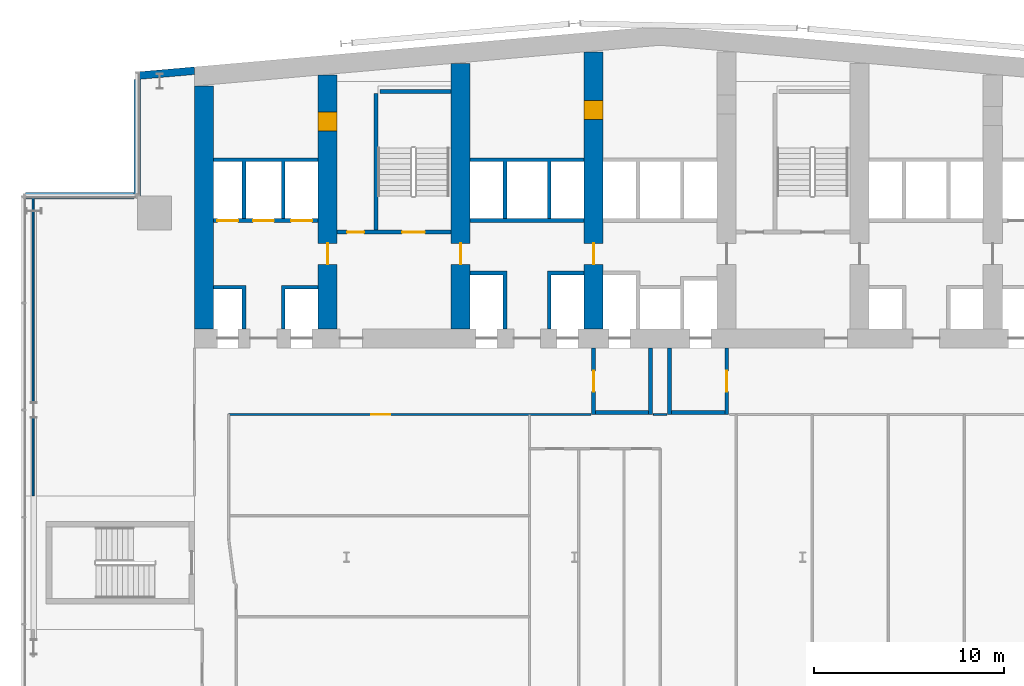
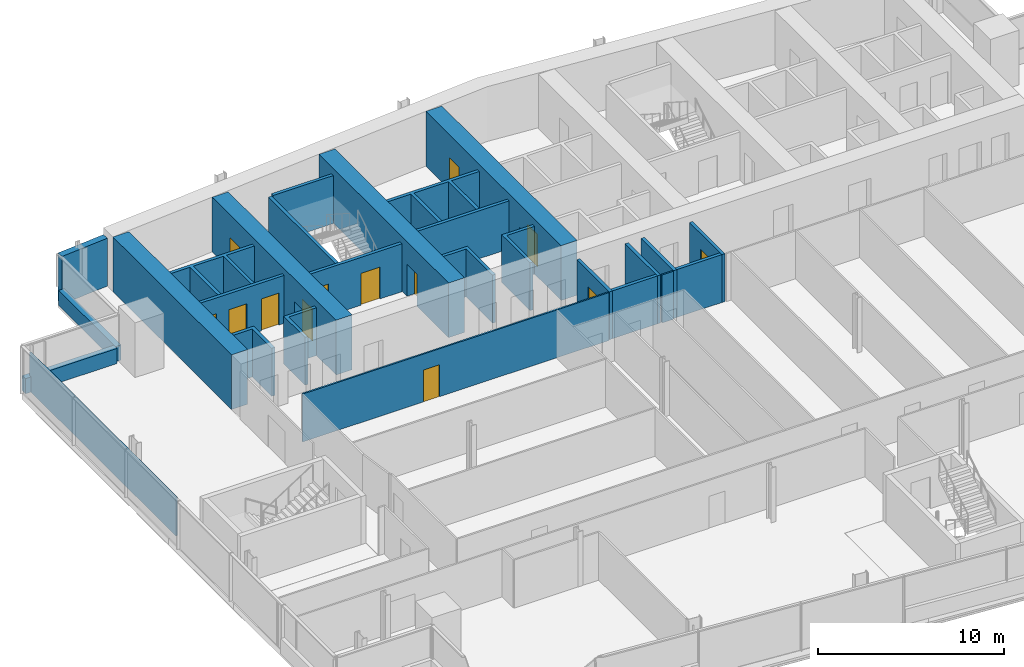
# One storey, part 17 of 25: 27 walls, 13 doors, 13 openings.
"""IFC4 building model written with IfcOpenShell, lengths in metres."""

from ifc_helpers import new_model, si_unit, direction, frame, frame_2d, origin, place, context, subcontext, project, spatial, polyline, rectangle, outline, extrude, material, layer, layer_set, type_object, element, fill, save


model = new_model("IFC4")

# Units and contexts
model_context = context("Model", 3, precision=1e-05, world=origin(), true_north=direction((0.0, 1.0)))
body_context = subcontext(model_context, "Body", "Model", "MODEL_VIEW")
ifc_project = project(units=[si_unit("LENGTHUNIT", "METRE"), si_unit("AREAUNIT", "SQUARE_METRE"), si_unit("VOLUMEUNIT", "CUBIC_METRE"), si_unit("PLANEANGLEUNIT", "RADIAN"), si_unit("MASSUNIT", "GRAM", prefix="KILO")], contexts=[model_context])

# Site, building, storey
site_placement = place(None, origin())
site = spatial("IfcSite", under=ifc_project, at=site_placement, CompositionType="ELEMENT")
building_placement = place(site_placement, origin())
building = spatial("IfcBuilding", under=site, at=building_placement, Name="Wharfspan Tower", CompositionType="ELEMENT")
storey_placement = place(building_placement, frame((0.0, 0.0, 143.5)))
storey = spatial("IfcBuildingStorey", under=building, at=storey_placement, Name="L34", CompositionType="ELEMENT", Elevation=143.5)

# Wall, opening, door
ifc_material_1 = material(Name="Gypsum board on steel studs", Category="steel")
ifc_layer_1 = layer(ifc_material_1, 0.100098)
ifc_layer_set_1 = layer_set([ifc_layer_1], Name="Gypsum board on steel studs")
wall_type_1 = type_object("IfcWallType", Name="Compartment wall 100 EI 60", PredefinedType="PARTITIONING", material=ifc_layer_set_1)
wall_1_placement = place(storey_placement, frame((17.800049, 30.5, 0.0), z_axis=(0.0, 0.0, 1.0), x_axis=(1.0, 0.0, 0.0)))
wall_1 = element("IfcWall", 1, at=wall_1_placement, inside=storey, type_object=wall_type_1, Name="Partition L34.w010", PredefinedType="PARTITIONING", context=body_context, shape_type="SweptSolid", body=[
    extrude(rectangle(XDim=19.050049, YDim=0.100098, at=frame_2d((9.524902, 0.0))), origin(), (0.0, 0.0, 1.0), 3.149902),
])
opening_1_placement = place(wall_1_placement, frame((7.5, 0.0, 0.0)))
opening_1 = element("IfcOpeningElement", 2, at=opening_1_placement, cuts=wall_1, Name="Opening B6-20", PredefinedType="OPENING", context=body_context, shape_type="SweptSolid", body=[
    extrude(rectangle(XDim=1.0, YDim=2.100098, at=frame_2d((0.5, 1.050049))), frame((0.0, 0.060059, 0.0), z_axis=(0.0, -1.0, 0.0), x_axis=(1.0, 0.0, 0.0)), (0.0, 0.0, 1.0), 0.120117),
])
ifc_material_2 = material(Name="Fire-rated timber door leaf in steel frame", Category="steel")
door_type_1 = type_object("IfcDoorType", Name="Door 1000 FD30S Left", OperationType="SINGLE_SWING_LEFT", PredefinedType="DOOR", material=ifc_material_2)
door_1_placement = place(opening_1_placement, origin())
door_1 = element("IfcDoor", 3, at=door_1_placement, inside=storey, type_object=door_type_1, Name="Door B6-20", OperationType="SINGLE_SWING_LEFT", OverallHeight=2.100098, OverallWidth=1.0, PredefinedType="DOOR", context=body_context, shape_type="SweptSolid", body=[
    extrude(rectangle(XDim=1.0, YDim=2.100098, at=frame_2d((0.5, 1.050049))), frame((0.0, 0.024902, 0.0), z_axis=(0.0, -1.0, 0.0), x_axis=(1.0, 0.0, 0.0)), (0.0, 0.0, 1.0), 0.050049),
])
fill(opening_1, door_1)

# Walls
wall_2_placement = place(storey_placement, frame((40.149902, 30.5, 0.0), z_axis=(0.0, 0.0, 1.0), x_axis=(1.0, 0.0, 0.0)))
element("IfcWall", 4, at=wall_2_placement, inside=storey, type_object=wall_type_1, Name="Partition L34.w010 (2)", PredefinedType="PARTITIONING", context=body_context, shape_type="SweptSolid", body=[
    extrude(rectangle(XDim=0.700195, YDim=0.100098, at=frame_2d((0.350098, 0.0))), origin(), (0.0, 0.0, 1.0), 3.149902),
])
ifc_material_3 = material(Name="Concrete C70/85", Category="concrete")
ifc_layer_2 = layer(ifc_material_3, 1.0)
ifc_layer_set_2 = layer_set([ifc_layer_2], Name="Concrete C70/85")
wall_type_2 = type_object("IfcWallType", Name="Core wall 1000 C70/85", PredefinedType="SHEAR", material=ifc_layer_set_2)
wall_3_placement = place(storey_placement, frame((16.5, 35.0, 0.0), z_axis=(0.0, 0.0, 1.0), x_axis=(0.0, 1.0, 0.0)))
element("IfcWall", 5, at=wall_3_placement, inside=storey, type_object=wall_type_2, Name="Core cross wall EW0 L34", PredefinedType="SHEAR", context=body_context, shape_type="SweptSolid", body=[
    extrude(rectangle(XDim=12.783691, YDim=1.0, at=frame_2d((6.391846, 0.0))), origin(), (0.0, 0.0, 1.0), 3.600098),
])

# Wall, openings, doors
wall_4_placement = place(storey_placement, frame((23.0, 35.0, 0.0), z_axis=(0.0, 0.0, 1.0), x_axis=(0.0, 1.0, 0.0)))
wall_4 = element("IfcWall", 6, at=wall_4_placement, inside=storey, type_object=wall_type_2, Name="Core cross wall X2 L34", PredefinedType="SHEAR", context=body_context, shape_type="SweptSolid", body=[
    extrude(rectangle(XDim=13.352295, YDim=1.0, at=frame_2d((6.67627, 0.0))), origin(), (0.0, 0.0, 1.0), 3.600098),
])
opening_2_placement = place(wall_4_placement, frame((10.425537, 0.0, 0.0)))
opening_2 = element("IfcOpeningElement", 7, at=opening_2_placement, cuts=wall_4, Name="Opening CD34.1X", PredefinedType="OPENING", context=body_context, shape_type="SweptSolid", body=[
    extrude(rectangle(XDim=1.0, YDim=2.100098, at=frame_2d((0.5, 1.050049))), frame((0.0, 0.51001, 0.0), z_axis=(0.0, -1.0, 0.0), x_axis=(1.0, 0.0, 0.0)), (0.0, 0.0, 1.0), 1.02002),
])
opening_3_placement = place(wall_4_placement, frame((3.399902, 0.0, 0.0)))
opening_3 = element("IfcOpeningElement", 8, at=opening_3_placement, cuts=wall_4, Name="Opening CC34.2", PredefinedType="OPENING", context=body_context, shape_type="SweptSolid", body=[
    extrude(rectangle(XDim=1.100098, YDim=2.100098, at=frame_2d((0.550049, 1.050049))), frame((0.0, 0.51001, 0.0), z_axis=(0.0, -1.0, 0.0), x_axis=(1.0, 0.0, 0.0)), (0.0, 0.0, 1.0), 1.02002),
])
ifc_material_4 = material(Name="Steel door leaf", Category="steel")
door_type_2 = type_object("IfcDoorType", Name="Core corridor door 1100x2100", OperationType="SINGLE_SWING_LEFT", PredefinedType="DOOR", material=ifc_material_4)
door_2_placement = place(opening_3_placement, origin())
door_2 = element("IfcDoor", 9, at=door_2_placement, inside=storey, type_object=door_type_2, Name="xd:L34:2", OperationType="SINGLE_SWING_RIGHT", OverallHeight=2.100098, OverallWidth=1.100098, PredefinedType="DOOR", context=body_context, shape_type="SweptSolid", body=[
    extrude(rectangle(XDim=1.100098, YDim=2.100098, at=frame_2d((0.550049, 1.050049))), frame((0.0, 0.024902, 0.0), z_axis=(0.0, -1.0, 0.0), x_axis=(1.0, 0.0, 0.0)), (0.0, 0.0, 1.0), 0.050049),
])
fill(opening_3, door_2)
door_type_3 = type_object("IfcDoorType", Name="Core room door 1000x2100", OperationType="SINGLE_SWING_LEFT", PredefinedType="DOOR", material=ifc_material_4)
door_3_placement = place(opening_2_placement, origin())
door_3 = element("IfcDoor", 10, at=door_3_placement, inside=storey, type_object=door_type_3, Name="d:L34:1:sx", OperationType="SINGLE_SWING_LEFT", OverallHeight=2.100098, OverallWidth=1.0, PredefinedType="DOOR", context=body_context, shape_type="SweptSolid", body=[
    extrude(rectangle(XDim=1.0, YDim=2.100098, at=frame_2d((0.5, 1.050049))), frame((0.0, 0.499756, 0.0), z_axis=(0.0, -1.0, 0.0), x_axis=(1.0, 0.0, 0.0)), (0.0, 0.0, 1.0), 0.999512),
])
fill(opening_2, door_3)

# Wall, opening, door
wall_5_placement = place(storey_placement, frame((30.0, 35.0, 0.0), z_axis=(0.0, 0.0, 1.0), x_axis=(0.0, 1.0, 0.0)))
wall_5 = element("IfcWall", 11, at=wall_5_placement, inside=storey, type_object=wall_type_2, Name="Core cross wall X3 L34", PredefinedType="SHEAR", context=body_context, shape_type="SweptSolid", body=[
    extrude(rectangle(XDim=13.9646, YDim=1.0, at=frame_2d((6.982422, 0.0))), origin(), (0.0, 0.0, 1.0), 3.600098),
])
opening_4_placement = place(wall_5_placement, frame((3.399902, 0.0, 0.0)))
opening_4 = element("IfcOpeningElement", 12, at=opening_4_placement, cuts=wall_5, Name="Opening CC34.3", PredefinedType="OPENING", context=body_context, shape_type="SweptSolid", body=[
    extrude(rectangle(XDim=1.100098, YDim=2.100098, at=frame_2d((0.550049, 1.050049))), frame((0.0, 0.51001, 0.0), z_axis=(0.0, -1.0, 0.0), x_axis=(1.0, 0.0, 0.0)), (0.0, 0.0, 1.0), 1.02002),
])
door_4_placement = place(opening_4_placement, origin())
door_4 = element("IfcDoor", 13, at=door_4_placement, inside=storey, type_object=door_type_2, Name="xd:L34:3", OperationType="SINGLE_SWING_LEFT", OverallHeight=2.100098, OverallWidth=1.100098, PredefinedType="DOOR", context=body_context, shape_type="SweptSolid", body=[
    extrude(rectangle(XDim=1.100098, YDim=2.100098, at=frame_2d((0.550049, 1.050049))), frame((0.0, 0.024902, 0.0), z_axis=(0.0, -1.0, 0.0), x_axis=(1.0, 0.0, 0.0)), (0.0, 0.0, 1.0), 0.050049),
])
fill(opening_4, door_4)

# Wall, openings, doors
wall_6_placement = place(storey_placement, frame((37.0, 35.0, 0.0), z_axis=(0.0, 0.0, 1.0), x_axis=(0.0, 1.0, 0.0)))
wall_6 = element("IfcWall", 14, at=wall_6_placement, inside=storey, type_object=wall_type_2, Name="Core cross wall X4 L34", PredefinedType="SHEAR", context=body_context, shape_type="SweptSolid", body=[
    extrude(rectangle(XDim=14.577148, YDim=1.0, at=frame_2d((7.288574, 0.0))), origin(), (0.0, 0.0, 1.0), 3.600098),
])
opening_5_placement = place(wall_6_placement, frame((11.016113, 0.0, 0.0)))
opening_5 = element("IfcOpeningElement", 15, at=opening_5_placement, cuts=wall_6, Name="Opening CD34.3X", PredefinedType="OPENING", context=body_context, shape_type="SweptSolid", body=[
    extrude(rectangle(XDim=1.0, YDim=2.100098, at=frame_2d((0.5, 1.050049))), frame((0.0, 0.51001, 0.0), z_axis=(0.0, -1.0, 0.0), x_axis=(1.0, 0.0, 0.0)), (0.0, 0.0, 1.0), 1.02002),
])
opening_6_placement = place(wall_6_placement, frame((3.399902, 0.0, 0.0)))
opening_6 = element("IfcOpeningElement", 16, at=opening_6_placement, cuts=wall_6, Name="Opening CC34.4", PredefinedType="OPENING", context=body_context, shape_type="SweptSolid", body=[
    extrude(rectangle(XDim=1.100098, YDim=2.100098, at=frame_2d((0.550049, 1.050049))), frame((0.0, 0.51001, 0.0), z_axis=(0.0, -1.0, 0.0), x_axis=(1.0, 0.0, 0.0)), (0.0, 0.0, 1.0), 1.02002),
])
door_5_placement = place(opening_6_placement, origin())
door_5 = element("IfcDoor", 17, at=door_5_placement, inside=storey, type_object=door_type_2, Name="xd:L34:4", OperationType="SINGLE_SWING_RIGHT", OverallHeight=2.100098, OverallWidth=1.100098, PredefinedType="DOOR", context=body_context, shape_type="SweptSolid", body=[
    extrude(rectangle(XDim=1.100098, YDim=2.100098, at=frame_2d((0.550049, 1.050049))), frame((0.0, 0.024902, 0.0), z_axis=(0.0, -1.0, 0.0), x_axis=(1.0, 0.0, 0.0)), (0.0, 0.0, 1.0), 0.050049),
])
fill(opening_6, door_5)
door_6_placement = place(opening_5_placement, origin())
door_6 = element("IfcDoor", 18, at=door_6_placement, inside=storey, type_object=door_type_3, Name="d:L34:3:sx", OperationType="SINGLE_SWING_LEFT", OverallHeight=2.100098, OverallWidth=1.0, PredefinedType="DOOR", context=body_context, shape_type="SweptSolid", body=[
    extrude(rectangle(XDim=1.0, YDim=2.100098, at=frame_2d((0.5, 1.050049))), frame((0.0, 0.499756, 0.0), z_axis=(0.0, -1.0, 0.0), x_axis=(1.0, 0.0, 0.0)), (0.0, 0.0, 1.0), 0.999512),
])
fill(opening_5, door_6)

ifc_material_5 = material(Name="Concrete C30/37", Category="concrete")
ifc_layer_3 = layer(ifc_material_5, 0.199951)
ifc_layer_set_3 = layer_set([ifc_layer_3], Name="Concrete C30/37")
wall_type_3 = type_object("IfcWallType", Name="Lift shaft wall 200", PredefinedType="PARTITIONING", material=ifc_layer_set_3)
wall_7_placement = place(storey_placement, frame((17.0, 40.699951, 0.0), z_axis=(0.0, 0.0, 1.0), x_axis=(1.0, 0.0, 0.0)))
wall_7 = element("IfcWall", 19, at=wall_7_placement, inside=storey, type_object=wall_type_3, Name="sw:L34:RF1", PredefinedType="PARTITIONING", context=body_context, shape_type="SweptSolid", body=[
    extrude(rectangle(XDim=5.5, YDim=0.199951, at=frame_2d((2.75, 0.0))), origin(), (0.0, 0.0, 1.0), 3.149902),
])
opening_7_placement = place(wall_7_placement, frame((0.199951, 0.0, 0.0)))
opening_7 = element("IfcOpeningElement", 20, at=opening_7_placement, cuts=wall_7, Name="Opening LD.LA3.L34", PredefinedType="OPENING", context=body_context, shape_type="SweptSolid", body=[
    extrude(rectangle(XDim=1.100098, YDim=2.100098, at=frame_2d((0.550049, 1.050049))), frame((0.0, 0.109863, 0.0), z_axis=(0.0, -1.0, 0.0), x_axis=(1.0, 0.0, 0.0)), (0.0, 0.0, 1.0), 0.219971),
])
opening_8_placement = place(wall_7_placement, frame((2.083252, 0.0, 0.0)))
opening_8 = element("IfcOpeningElement", 21, at=opening_8_placement, cuts=wall_7, Name="Opening LD.LA4.L34", PredefinedType="OPENING", context=body_context, shape_type="SweptSolid", body=[
    extrude(rectangle(XDim=1.100098, YDim=2.100098, at=frame_2d((0.550049, 1.050049))), frame((0.0, 0.109863, 0.0), z_axis=(0.0, -1.0, 0.0), x_axis=(1.0, 0.0, 0.0)), (0.0, 0.0, 1.0), 0.219971),
])
opening_9_placement = place(wall_7_placement, frame((4.083252, 0.0, 0.0)))
opening_9 = element("IfcOpeningElement", 22, at=opening_9_placement, cuts=wall_7, Name="Opening LD.LA5.L34", PredefinedType="OPENING", context=body_context, shape_type="SweptSolid", body=[
    extrude(rectangle(XDim=1.100098, YDim=2.100098, at=frame_2d((0.550049, 1.050049))), frame((0.0, 0.109863, 0.0), z_axis=(0.0, -1.0, 0.0), x_axis=(1.0, 0.0, 0.0)), (0.0, 0.0, 1.0), 0.219971),
])
ifc_material_6 = material(Name="Stainless steel", Category="steel")
door_type_4 = type_object("IfcDoorType", Name="Lift landing door 1100x2100", OperationType="DOUBLE_DOOR_SLIDING", PredefinedType="DOOR", material=ifc_material_6)
door_7_placement = place(opening_7_placement, origin())
door_7 = element("IfcDoor", 23, at=door_7_placement, inside=storey, type_object=door_type_4, Name="Landing door LA3 L34", OperationType="DOUBLE_DOOR_SLIDING", OverallHeight=2.100098, OverallWidth=1.100098, PredefinedType="DOOR", context=body_context, shape_type="SweptSolid", body=[
    extrude(rectangle(XDim=1.100098, YDim=2.100098, at=frame_2d((0.550049, 1.050049))), frame((0.0, 0.024902, 0.0), z_axis=(0.0, -1.0, 0.0), x_axis=(1.0, 0.0, 0.0)), (0.0, 0.0, 1.0), 0.050049),
])
fill(opening_7, door_7)
door_8_placement = place(opening_8_placement, origin())
door_8 = element("IfcDoor", 24, at=door_8_placement, inside=storey, type_object=door_type_4, Name="Landing door LA4 L34", OperationType="DOUBLE_DOOR_SLIDING", OverallHeight=2.100098, OverallWidth=1.100098, PredefinedType="DOOR", context=body_context, shape_type="SweptSolid", body=[
    extrude(rectangle(XDim=1.100098, YDim=2.100098, at=frame_2d((0.550049, 1.050049))), frame((0.0, 0.024902, 0.0), z_axis=(0.0, -1.0, 0.0), x_axis=(1.0, 0.0, 0.0)), (0.0, 0.0, 1.0), 0.050049),
])
fill(opening_8, door_8)
door_9_placement = place(opening_9_placement, origin())
door_9 = element("IfcDoor", 25, at=door_9_placement, inside=storey, type_object=door_type_4, Name="Landing door LA5 L34", OperationType="DOUBLE_DOOR_SLIDING", OverallHeight=2.100098, OverallWidth=1.100098, PredefinedType="DOOR", context=body_context, shape_type="SweptSolid", body=[
    extrude(rectangle(XDim=1.100098, YDim=2.100098, at=frame_2d((0.550049, 1.050049))), frame((0.0, 0.024902, 0.0), z_axis=(0.0, -1.0, 0.0), x_axis=(1.0, 0.0, 0.0)), (0.0, 0.0, 1.0), 0.050049),
])
fill(opening_9, door_9)

# Walls
wall_8_placement = place(storey_placement, frame((0.0, 0.0, -0.000244)))
element("IfcWall", 26, at=wall_8_placement, inside=storey, type_object=wall_type_3, Name="sw:L34:FM1.0", PredefinedType="PARTITIONING", context=body_context, shape_type="SweptSolid", body=[
    extrude(outline(polyline([(18.5, 37.100098), (17.0, 37.100098), (17.0, 37.300049), (18.5, 37.300049), (18.699951, 37.300049), (18.699951, 35.0), (18.5, 35.0), (18.5, 37.100098)])), origin(), (0.0, 0.0, 1.0), 3.150146),
])
wall_9_placement = place(storey_placement, frame((0.0, 0.0, -0.000244)))
element("IfcWall", 27, at=wall_9_placement, inside=storey, type_object=wall_type_3, Name="sw:L34:FM1.1", PredefinedType="PARTITIONING", context=body_context, shape_type="SweptSolid", body=[
    extrude(outline(polyline([(20.56665, 37.300049), (20.766602, 37.300049), (22.5, 37.300049), (22.5, 37.100098), (20.766602, 37.100098), (20.766602, 35.0), (20.56665, 35.0), (20.56665, 37.300049)])), origin(), (0.0, 0.0, 1.0), 3.150146),
])
wall_10_placement = place(storey_placement, frame((0.0, 0.0, -0.000244)))
element("IfcWall", 28, at=wall_10_placement, inside=storey, type_object=wall_type_3, Name="sw:L34:RM1.0", PredefinedType="PARTITIONING", context=body_context, shape_type="SweptSolid", body=[
    extrude(outline(polyline([(18.699951, 40.800049), (18.5, 40.800049), (18.5, 43.800049), (17.0, 43.800049), (17.0, 44.0), (22.5, 44.0), (22.5, 43.800049), (20.766602, 43.800049), (20.766602, 40.800049), (20.56665, 40.800049), (20.56665, 43.800049), (18.699951, 43.800049), (18.699951, 40.800049)])), origin(), (0.0, 0.0, 1.0), 3.150146),
])
wall_11_placement = place(storey_placement, frame((30.5, 40.699951, 0.0), z_axis=(0.0, 0.0, 1.0), x_axis=(1.0, 0.0, 0.0)))
element("IfcWall", 29, at=wall_11_placement, inside=storey, type_object=wall_type_3, Name="sw:L34:RF3", PredefinedType="PARTITIONING", context=body_context, shape_type="SweptSolid", body=[
    extrude(rectangle(XDim=6.0, YDim=0.199951, at=frame_2d((3.0, 0.0))), origin(), (0.0, 0.0, 1.0), 3.149902),
])
wall_12_placement = place(storey_placement, frame((0.0, 0.0, -0.000244)))
element("IfcWall", 30, at=wall_12_placement, inside=storey, type_object=wall_type_3, Name="sw:L34:FM3.0", PredefinedType="PARTITIONING", context=body_context, shape_type="SweptSolid", body=[
    extrude(outline(polyline([(32.233398, 37.850098), (30.5, 37.850098), (30.5, 38.050049), (32.233398, 38.050049), (32.43335, 38.050049), (32.43335, 35.0), (32.233398, 35.0), (32.233398, 37.850098)])), origin(), (0.0, 0.0, 1.0), 3.150146),
])
wall_13_placement = place(storey_placement, frame((0.0, 0.0, -0.000244)))
element("IfcWall", 31, at=wall_13_placement, inside=storey, type_object=wall_type_3, Name="sw:L34:FM3.1", PredefinedType="PARTITIONING", context=body_context, shape_type="SweptSolid", body=[
    extrude(outline(polyline([(34.56665, 38.050049), (34.766602, 38.050049), (36.5, 38.050049), (36.5, 37.850098), (34.766602, 37.850098), (34.766602, 35.0), (34.56665, 35.0), (34.56665, 38.050049)])), origin(), (0.0, 0.0, 1.0), 3.150146),
])
wall_14_placement = place(storey_placement, frame((0.0, 0.0, -0.000244)))
element("IfcWall", 32, at=wall_14_placement, inside=storey, type_object=wall_type_3, Name="sw:L34:RM3.0", PredefinedType="PARTITIONING", context=body_context, shape_type="SweptSolid", body=[
    extrude(outline(polyline([(32.43335, 40.800049), (32.233398, 40.800049), (32.233398, 43.800049), (30.5, 43.800049), (30.5, 44.0), (36.5, 44.0), (36.5, 43.800049), (34.766602, 43.800049), (34.766602, 40.800049), (34.56665, 40.800049), (34.56665, 43.800049), (32.43335, 43.800049), (32.43335, 40.800049)])), origin(), (0.0, 0.0, 1.0), 3.150146),
])

# Wall, opening, door
ifc_layer_4 = layer(ifc_material_5, 0.199951)
ifc_layer_set_4 = layer_set([ifc_layer_4], Name="Concrete C30/37")
wall_type_4 = type_object("IfcWallType", Name="Lobby wall 200", PredefinedType="PARTITIONING", material=ifc_layer_set_4)
wall_15_placement = place(storey_placement, frame((37.0, 30.5, 0.0), z_axis=(0.0, 0.0, 1.0), x_axis=(0.0, 1.0, 0.0)))
wall_15 = element("IfcWall", 33, at=wall_15_placement, inside=storey, type_object=wall_type_4, Name="sw:L34:FLFF1W", PredefinedType="PARTITIONING", context=body_context, shape_type="SweptSolid", body=[
    extrude(rectangle(XDim=3.5, YDim=0.199951, at=frame_2d((1.75, 0.0))), origin(), (0.0, 0.0, 1.0), 3.149902),
])
opening_10_placement = place(wall_15_placement, frame((1.199951, 0.0, 0.0)))
opening_10 = element("IfcOpeningElement", 34, at=opening_10_placement, cuts=wall_15, Name="Opening FL.FF1.L34", PredefinedType="OPENING", context=body_context, shape_type="SweptSolid", body=[
    extrude(rectangle(XDim=1.100098, YDim=2.100098, at=frame_2d((0.550049, 1.050049))), frame((0.0, 0.109863, 0.0), z_axis=(0.0, -1.0, 0.0), x_axis=(1.0, 0.0, 0.0)), (0.0, 0.0, 1.0), 0.219971),
])
door_type_5 = type_object("IfcDoorType", Name="Firefighting lobby door 1100x2100", OperationType="SINGLE_SWING_LEFT", PredefinedType="DOOR", material=ifc_material_4)
door_10_placement = place(opening_10_placement, origin())
door_10 = element("IfcDoor", 35, at=door_10_placement, inside=storey, type_object=door_type_5, Name="fd:L34:FF1", OperationType="SINGLE_SWING_LEFT", OverallHeight=2.100098, OverallWidth=1.100098, PredefinedType="DOOR", context=body_context, shape_type="SweptSolid", body=[
    extrude(rectangle(XDim=1.100098, YDim=2.100098, at=frame_2d((0.550049, 1.050049))), frame((0.0, 0.024902, 0.0), z_axis=(0.0, -1.0, 0.0), x_axis=(1.0, 0.0, 0.0)), (0.0, 0.0, 1.0), 0.050049),
])
fill(opening_10, door_10)

# Walls
wall_16_placement = place(storey_placement, frame((40.0, 30.5, 0.0), z_axis=(0.0, 0.0, 1.0), x_axis=(0.0, 1.0, 0.0)))
element("IfcWall", 36, at=wall_16_placement, inside=storey, type_object=wall_type_4, Name="sw:L34:FLFF1E", PredefinedType="PARTITIONING", context=body_context, shape_type="SweptSolid", body=[
    extrude(rectangle(XDim=3.5, YDim=0.199951, at=frame_2d((1.75, 0.0))), origin(), (0.0, 0.0, 1.0), 3.149902),
])
wall_17_placement = place(storey_placement, frame((37.100098, 30.600098, 0.0), z_axis=(0.0, 0.0, 1.0), x_axis=(1.0, 0.0, 0.0)))
element("IfcWall", 37, at=wall_17_placement, inside=storey, type_object=wall_type_4, Name="sw:L34:FLFF1F", PredefinedType="PARTITIONING", context=body_context, shape_type="SweptSolid", body=[
    extrude(rectangle(XDim=2.799805, YDim=0.199951, at=frame_2d((1.399902, 0.0))), origin(), (0.0, 0.0, 1.0), 3.149902),
])
wall_18_placement = place(storey_placement, frame((41.0, 30.5, 0.0), z_axis=(0.0, 0.0, 1.0), x_axis=(0.0, 1.0, 0.0)))
element("IfcWall", 38, at=wall_18_placement, inside=storey, type_object=wall_type_4, Name="sw:L34:FLFF2W", PredefinedType="PARTITIONING", context=body_context, shape_type="SweptSolid", body=[
    extrude(rectangle(XDim=3.5, YDim=0.199951, at=frame_2d((1.75, 0.0))), origin(), (0.0, 0.0, 1.0), 3.149902),
])

# Wall, opening, door
wall_19_placement = place(storey_placement, frame((44.0, 30.5, 0.0), z_axis=(0.0, 0.0, 1.0), x_axis=(0.0, 1.0, 0.0)))
wall_19 = element("IfcWall", 39, at=wall_19_placement, inside=storey, type_object=wall_type_4, Name="sw:L34:FLFF2E", PredefinedType="PARTITIONING", context=body_context, shape_type="SweptSolid", body=[
    extrude(rectangle(XDim=3.5, YDim=0.199951, at=frame_2d((1.75, 0.0))), origin(), (0.0, 0.0, 1.0), 3.149902),
])
opening_11_placement = place(wall_19_placement, frame((1.199951, 0.0, 0.0)))
opening_11 = element("IfcOpeningElement", 40, at=opening_11_placement, cuts=wall_19, Name="Opening FL.FF2.L34", PredefinedType="OPENING", context=body_context, shape_type="SweptSolid", body=[
    extrude(rectangle(XDim=1.100098, YDim=2.100098, at=frame_2d((0.550049, 1.050049))), frame((0.0, 0.109863, 0.0), z_axis=(0.0, -1.0, 0.0), x_axis=(1.0, 0.0, 0.0)), (0.0, 0.0, 1.0), 0.219971),
])
door_11_placement = place(opening_11_placement, origin())
door_11 = element("IfcDoor", 41, at=door_11_placement, inside=storey, type_object=door_type_5, Name="fd:L34:FF2", OperationType="SINGLE_SWING_LEFT", OverallHeight=2.100098, OverallWidth=1.100098, PredefinedType="DOOR", context=body_context, shape_type="SweptSolid", body=[
    extrude(rectangle(XDim=1.100098, YDim=2.100098, at=frame_2d((0.550049, 1.050049))), frame((0.0, 0.024902, 0.0), z_axis=(0.0, -1.0, 0.0), x_axis=(1.0, 0.0, 0.0)), (0.0, 0.0, 1.0), 0.050049),
])
fill(opening_11, door_11)

# Walls
wall_20_placement = place(storey_placement, frame((41.100098, 30.600098, 0.0), z_axis=(0.0, 0.0, 1.0), x_axis=(1.0, 0.0, 0.0)))
element("IfcWall", 42, at=wall_20_placement, inside=storey, type_object=wall_type_4, Name="sw:L34:FLFF2F", PredefinedType="PARTITIONING", context=body_context, shape_type="SweptSolid", body=[
    extrude(rectangle(XDim=2.799805, YDim=0.199951, at=frame_2d((1.399902, 0.0))), origin(), (0.0, 0.0, 1.0), 3.149902),
])
ifc_layer_5 = layer(ifc_material_1, 0.100098)
ifc_layer_set_5 = layer_set([ifc_layer_5], Name="Gypsum board on steel studs")
wall_type_5 = type_object("IfcWallType", Name="Partition 100", PredefinedType="PARTITIONING", material=ifc_layer_set_5)
wall_21_placement = place(storey_placement, frame((7.51001, 26.219971, 0.0), z_axis=(0.0, 0.0, 1.0), x_axis=(0.0, 1.0, 0.0)))
element("IfcWall", 43, at=wall_21_placement, inside=storey, type_object=wall_type_5, Name="Partition L34.w004", PredefinedType="PARTITIONING", context=body_context, shape_type="SweptSolid", body=[
    extrude(rectangle(XDim=15.76001, YDim=0.100098, at=frame_2d((7.879883, 0.0))), origin(), (0.0, 0.0, 1.0), 2.530029),
])
ifc_material_7 = material(Name="Concrete C40/50", Category="concrete")
ifc_layer_6 = layer(ifc_material_7, 0.350098)
ifc_layer_set_6 = layer_set([ifc_layer_6], Name="Concrete C40/50")
wall_type_6 = type_object("IfcWallType", Name="SPANDREL EXPOSED CONCRETE 350", PredefinedType="SOLIDWALL", material=ifc_layer_set_6)
wall_22_placement = place(storey_placement, frame((12.995117, 48.126465, 0.0), z_axis=(0.0, 0.0, 1.0), x_axis=(0.0, -1.0, 0.0)))
element("IfcWall", 44, at=wall_22_placement, inside=storey, type_object=wall_type_6, Name="Spandrel upstand L34 NRW-V", PredefinedType="SOLIDWALL", context=body_context, shape_type="SweptSolid", body=[
    extrude(rectangle(XDim=6.126465, YDim=0.350098, at=frame_2d((3.063232, 0.0))), origin(), (0.0, 0.0, 1.0), 1.0),
])
wall_23_placement = place(storey_placement, frame((12.820068, 42.004883, 0.0), z_axis=(0.0, 0.0, 1.0), x_axis=(-1.0, 0.0, 0.0)))
element("IfcWall", 45, at=wall_23_placement, inside=storey, type_object=wall_type_6, Name="Spandrel upstand L34 NRW-H", PredefinedType="SOLIDWALL", context=body_context, shape_type="SweptSolid", body=[
    extrude(rectangle(XDim=5.699951, YDim=0.350098, at=frame_2d((2.850098, 0.0))), origin(), (0.0, 0.0, 1.0), 1.0),
])

# Wall, openings, doors
ifc_layer_7 = layer(ifc_material_7, 0.199951)
ifc_layer_set_7 = layer_set([ifc_layer_7], Name="Concrete C40/50")
wall_type_7 = type_object("IfcWallType", Name="Stair shaft wall 200", PredefinedType="SHEAR", material=ifc_layer_set_7)
wall_24_placement = place(storey_placement, frame((23.5, 40.100098, 0.0), z_axis=(0.0, 0.0, 1.0), x_axis=(1.0, 0.0, 0.0)))
wall_24 = element("IfcWall", 46, at=wall_24_placement, inside=storey, type_object=wall_type_7, Name="ST1 stair enclosure wall L34", PredefinedType="SHEAR", context=body_context, shape_type="SweptSolid", body=[
    extrude(rectangle(XDim=6.0, YDim=0.199951, at=frame_2d((3.0, 0.0))), origin(), (0.0, 0.0, 1.0), 3.149902),
])
opening_12_placement = place(wall_24_placement, frame((3.425049, 0.0, 0.0)))
opening_12 = element("IfcOpeningElement", 47, at=opening_12_placement, cuts=wall_24, Name="Opening SD2.L34", PredefinedType="OPENING", context=body_context, shape_type="SweptSolid", body=[
    extrude(rectangle(XDim=1.199951, YDim=2.100098, at=frame_2d((0.600098, 1.050049))), frame((0.0, 0.109863, 0.0), z_axis=(0.0, -1.0, 0.0), x_axis=(1.0, 0.0, 0.0)), (0.0, 0.0, 1.0), 0.219971),
])
opening_13_placement = place(wall_24_placement, frame((0.524902, 0.0, 0.0)))
opening_13 = element("IfcOpeningElement", 48, at=opening_13_placement, cuts=wall_24, Name="Opening CD34.2R", PredefinedType="OPENING", context=body_context, shape_type="SweptSolid", body=[
    extrude(rectangle(XDim=0.899902, YDim=2.100098, at=frame_2d((0.449951, 1.050049))), frame((0.0, 0.109863, 0.0), z_axis=(0.0, -1.0, 0.0), x_axis=(1.0, 0.0, 0.0)), (0.0, 0.0, 1.0), 0.219971),
])
door_12_placement = place(opening_13_placement, origin())
door_12 = element("IfcDoor", 49, at=door_12_placement, inside=storey, type_object=door_type_3, Name="rk:L34:2", OperationType="SINGLE_SWING_LEFT", OverallHeight=2.100098, OverallWidth=0.899902, PredefinedType="DOOR", context=body_context, shape_type="SweptSolid", body=[
    extrude(rectangle(XDim=0.899902, YDim=2.100098, at=frame_2d((0.449951, 1.050049))), frame((0.0, 0.024902, 0.0), z_axis=(0.0, -1.0, 0.0), x_axis=(1.0, 0.0, 0.0)), (0.0, 0.0, 1.0), 0.050049),
])
fill(opening_13, door_12)
door_type_6 = type_object("IfcDoorType", Name="Stair door 1200x2100", OperationType="SINGLE_SWING_LEFT", PredefinedType="DOOR", material=ifc_material_4)
door_13_placement = place(opening_12_placement, origin())
door_13 = element("IfcDoor", 50, at=door_13_placement, inside=storey, type_object=door_type_6, Name="sd:L34:2", OperationType="SINGLE_SWING_RIGHT", OverallHeight=2.100098, OverallWidth=1.199951, PredefinedType="DOOR", context=body_context, shape_type="SweptSolid", body=[
    extrude(rectangle(XDim=1.199951, YDim=2.100098, at=frame_2d((0.600098, 1.050049))), frame((0.0, 0.024902, 0.0), z_axis=(0.0, -1.0, 0.0), x_axis=(1.0, 0.0, 0.0)), (0.0, 0.0, 1.0), 0.050049),
])
fill(opening_12, door_13)

# Walls
wall_25_placement = place(storey_placement, frame((25.550049, 40.199951, 0.0), z_axis=(0.0, 0.0, 1.0), x_axis=(0.0, 1.0, 0.0)))
element("IfcWall", 51, at=wall_25_placement, inside=storey, type_object=wall_type_7, Name="ST1 stair enclosure wall L34", PredefinedType="SHEAR", context=body_context, shape_type="SweptSolid", body=[
    extrude(rectangle(XDim=7.199951, YDim=0.199951, at=frame_2d((3.600098, 0.0))), origin(), (0.0, 0.0, 1.0), 3.149902),
])
wall_26_placement = place(storey_placement, frame((25.75, 47.5, 0.0), z_axis=(0.0, 0.0, 1.0), x_axis=(1.0, 0.0, 0.0)))
element("IfcWall", 52, at=wall_26_placement, inside=storey, type_object=wall_type_7, Name="ST1 stair enclosure wall L34", PredefinedType="SHEAR", context=body_context, shape_type="SweptSolid", body=[
    extrude(rectangle(XDim=3.75, YDim=0.199951, at=frame_2d((1.875, 0.0))), origin(), (0.0, 0.0, 1.0), 3.149902),
])
ifc_layer_8 = layer(ifc_material_7, 0.399902)
ifc_layer_set_8 = layer_set([ifc_layer_8], Name="Concrete C40/50")
wall_type_8 = type_object("IfcWallType", Name="WALL EXPOSED CONCRETE 400", PredefinedType="SOLIDWALL", material=ifc_layer_set_8)
wall_27_placement = place(storey_placement, frame((16.0, 48.58667, 0.0), z_axis=(0.0, 0.0, 1.0), x_axis=(-0.996194, -0.087168, 0.0)))
element("IfcWall", 53, at=wall_27_placement, inside=storey, type_object=wall_type_8, Name="Rear wall N1", PredefinedType="SOLIDWALL", context=body_context, shape_type="SweptSolid", body=[
    extrude(rectangle(XDim=2.994141, YDim=0.399902, at=frame_2d((1.49707, 0.0))), origin(), (0.0, 0.0, 1.0), 3.149902),
])

save(model, "model.ifc")
